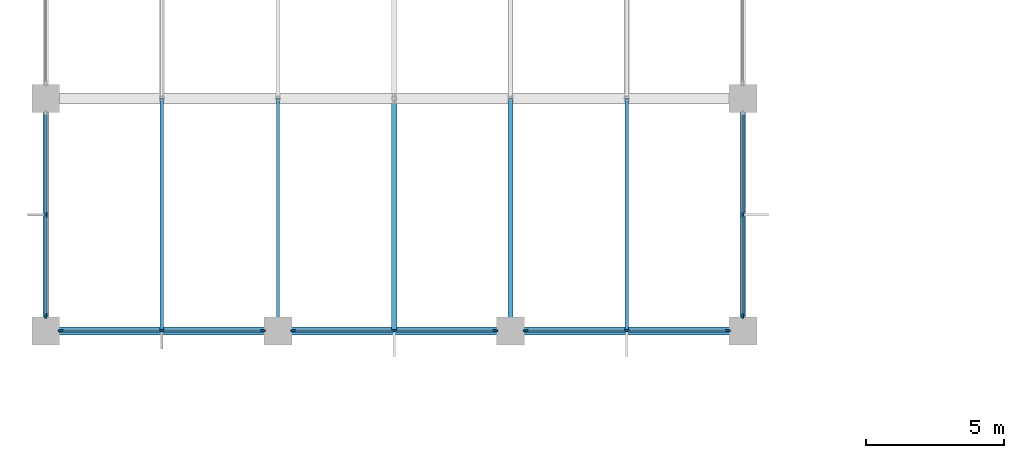
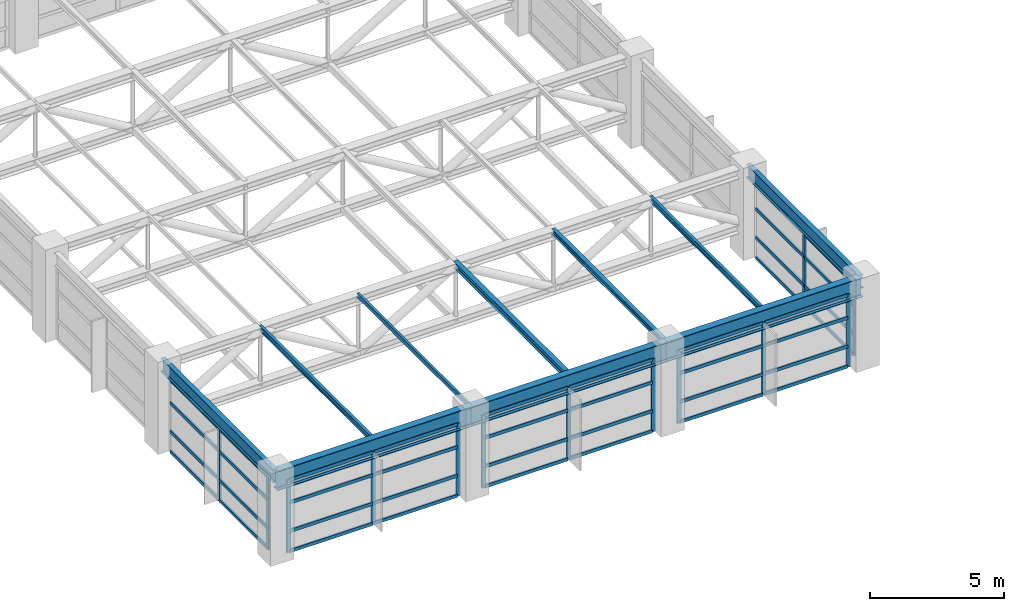
# One storey, part 5 of 32: 57 members, 5 beams, 5 elements without a shape of their own.
"""IFC4 building model written with IfcOpenShell, lengths in metres."""

from ifc_helpers import new_model, si_unit, direction, frame, origin, origin_2d, place, context, subcontext, project, spatial, rectangle, hollow_rectangle, i_section, extrude, material, material_profile, profile_set, type_object, element, aggregate, save


model = new_model("IFC4")

# Units and contexts
model_context = context("Model", 3, precision=1e-05, world=origin(), true_north=direction((0.0, 1.0)))
body_context = subcontext(model_context, "Body", "Model", "MODEL_VIEW")
ifc_project = project(units=[si_unit("LENGTHUNIT", "METRE"), si_unit("AREAUNIT", "SQUARE_METRE"), si_unit("VOLUMEUNIT", "CUBIC_METRE"), si_unit("PLANEANGLEUNIT", "RADIAN"), si_unit("MASSUNIT", "GRAM", prefix="KILO")], contexts=[model_context])

# Site, building, storey
site_placement = place(None, origin())
site = spatial("IfcSite", under=ifc_project, at=site_placement, CompositionType="ELEMENT")
building_placement = place(site_placement, origin())
building = spatial("IfcBuilding", under=site, at=building_placement, Name="Xuanlan Plaza Opera House", CompositionType="ELEMENT")
storey_placement = place(building_placement, frame((0.0, 0.0, 40.5)))
storey = spatial("IfcBuildingStorey", under=building, at=storey_placement, Name="L09", CompositionType="ELEMENT", Elevation=40.5)

# Curtain wall, members
ifc_material_1 = material(Name="Anodised Aluminium 6063-T6 and Low-E Glass", Category="aluminium")
curtain_wall_type = type_object("IfcCurtainWallType", Name="ENV-CW-CW-05", PredefinedType="USERDEFINED", material=ifc_material_1)
curtain_wall_1_placement = place(storey_placement, origin())
curtain_wall_1 = element("IfcCurtainWall", 1, at=curtain_wall_1_placement, inside=storey, type_object=curtain_wall_type, Name="Acoustic Glazed Wall FLY-L09-01", ObjectType="ACOUSTIC GLAZED WALL", PredefinedType="USERDEFINED")
ifc_material_2 = material(Name="Anodised Aluminium 6063-T6", Category="aluminium")
ifc_material_profile_1 = material_profile(ifc_material_2, rectangle(XDim=0.070068359375, YDim=0.179931640625, at=origin_2d()), Name="ALU-M 70x180")
ifc_profile_set_1 = profile_set([ifc_material_profile_1], Name="Anodised Aluminium 6063-T6")
member_type_1 = type_object("IfcMemberType", Name="ENV-CWM-02", PredefinedType="MULLION", material=ifc_profile_set_1)
member_1_placement = place(storey_placement, frame((42.554931640625, 42.0, 0.0), z_axis=(0.0, 0.0, 1.0), x_axis=(0.0, 1.0, 0.0)))
member_1 = element("IfcMember", 2, at=member_1_placement, type_object=member_type_1, Name="CW-05 mullion 1", PredefinedType="MULLION", context=body_context, shape_type="SweptSolid", body=[
    extrude(rectangle(XDim=0.070068359375, YDim=0.179931640625, at=origin_2d()), origin(), (0.0, 0.0, 1.0), 3.320068359375),
])
member_2_placement = place(storey_placement, frame((46.199951171875, 42.0, 0.0), z_axis=(0.0, 0.0, 1.0), x_axis=(0.0, 1.0, 0.0)))
member_2 = element("IfcMember", 3, at=member_2_placement, type_object=member_type_1, Name="CW-05 mullion 2", PredefinedType="MULLION", context=body_context, shape_type="SweptSolid", body=[
    extrude(rectangle(XDim=0.070068359375, YDim=0.179931640625, at=origin_2d()), origin(), (0.0, 0.0, 1.0), 3.320068359375),
])
member_3_placement = place(storey_placement, frame((49.844970703125, 42.0, 0.0), z_axis=(0.0, 0.0, 1.0), x_axis=(0.0, 1.0, 0.0)))
member_3 = element("IfcMember", 4, at=member_3_placement, type_object=member_type_1, Name="CW-05 mullion 3", PredefinedType="MULLION", context=body_context, shape_type="SweptSolid", body=[
    extrude(rectangle(XDim=0.070068359375, YDim=0.179931640625, at=origin_2d()), origin(), (0.0, 0.0, 1.0), 3.320068359375),
])

curtain_wall_2_placement = place(storey_placement, origin())
curtain_wall_2 = element("IfcCurtainWall", 5, at=curtain_wall_2_placement, inside=storey, type_object=curtain_wall_type, Name="Acoustic Glazed Wall FLY-L09-02", ObjectType="ACOUSTIC GLAZED WALL", PredefinedType="USERDEFINED")
member_4_placement = place(storey_placement, frame((50.955078125, 42.0, 0.0), z_axis=(0.0, 0.0, 1.0), x_axis=(0.0, 1.0, 0.0)))
member_4 = element("IfcMember", 6, at=member_4_placement, type_object=member_type_1, Name="CW-05 mullion 1", PredefinedType="MULLION", context=body_context, shape_type="SweptSolid", body=[
    extrude(rectangle(XDim=0.070068359375, YDim=0.179931640625, at=origin_2d()), origin(), (0.0, 0.0, 1.0), 3.320068359375),
])
member_5_placement = place(storey_placement, frame((54.60009765625, 42.0, 0.0), z_axis=(0.0, 0.0, 1.0), x_axis=(0.0, 1.0, 0.0)))
member_5 = element("IfcMember", 7, at=member_5_placement, type_object=member_type_1, Name="CW-05 mullion 2", PredefinedType="MULLION", context=body_context, shape_type="SweptSolid", body=[
    extrude(rectangle(XDim=0.070068359375, YDim=0.179931640625, at=origin_2d()), origin(), (0.0, 0.0, 1.0), 3.320068359375),
])
member_6_placement = place(storey_placement, frame((58.2451171875, 42.0, 0.0), z_axis=(0.0, 0.0, 1.0), x_axis=(0.0, 1.0, 0.0)))
member_6 = element("IfcMember", 8, at=member_6_placement, type_object=member_type_1, Name="CW-05 mullion 3", PredefinedType="MULLION", context=body_context, shape_type="SweptSolid", body=[
    extrude(rectangle(XDim=0.070068359375, YDim=0.179931640625, at=origin_2d()), origin(), (0.0, 0.0, 1.0), 3.320068359375),
])

curtain_wall_3_placement = place(storey_placement, origin())
curtain_wall_3 = element("IfcCurtainWall", 9, at=curtain_wall_3_placement, inside=storey, type_object=curtain_wall_type, Name="Acoustic Glazed Wall FLY-L09-03", ObjectType="ACOUSTIC GLAZED WALL", PredefinedType="USERDEFINED")
member_7_placement = place(storey_placement, frame((59.35498046875, 42.0, 0.0), z_axis=(0.0, 0.0, 1.0), x_axis=(0.0, 1.0, 0.0)))
member_7 = element("IfcMember", 10, at=member_7_placement, type_object=member_type_1, Name="CW-05 mullion 1", PredefinedType="MULLION", context=body_context, shape_type="SweptSolid", body=[
    extrude(rectangle(XDim=0.070068359375, YDim=0.179931640625, at=origin_2d()), origin(), (0.0, 0.0, 1.0), 3.320068359375),
])
member_8_placement = place(storey_placement, frame((63.0, 42.0, 0.0), z_axis=(0.0, 0.0, 1.0), x_axis=(0.0, 1.0, 0.0)))
member_8 = element("IfcMember", 11, at=member_8_placement, type_object=member_type_1, Name="CW-05 mullion 2", PredefinedType="MULLION", context=body_context, shape_type="SweptSolid", body=[
    extrude(rectangle(XDim=0.070068359375, YDim=0.179931640625, at=origin_2d()), origin(), (0.0, 0.0, 1.0), 3.320068359375),
])
member_9_placement = place(storey_placement, frame((66.64501953125, 42.0, 0.0), z_axis=(0.0, 0.0, 1.0), x_axis=(0.0, 1.0, 0.0)))
member_9 = element("IfcMember", 12, at=member_9_placement, type_object=member_type_1, Name="CW-05 mullion 3", PredefinedType="MULLION", context=body_context, shape_type="SweptSolid", body=[
    extrude(rectangle(XDim=0.070068359375, YDim=0.179931640625, at=origin_2d()), origin(), (0.0, 0.0, 1.0), 3.320068359375),
])

curtain_wall_4_placement = place(storey_placement, origin())
curtain_wall_4 = element("IfcCurtainWall", 13, at=curtain_wall_4_placement, inside=storey, type_object=curtain_wall_type, Name="Acoustic Glazed Wall FLY-L09-04", ObjectType="ACOUSTIC GLAZED WALL", PredefinedType="USERDEFINED")
member_10_placement = place(storey_placement, frame((67.199951171875, 42.554931640625, 0.0), z_axis=(0.0, 0.0, 1.0), x_axis=(-1.0, 0.0, 0.0)))
member_10 = element("IfcMember", 14, at=member_10_placement, type_object=member_type_1, Name="CW-05 mullion 1", PredefinedType="MULLION", context=body_context, shape_type="SweptSolid", body=[
    extrude(rectangle(XDim=0.070068359375, YDim=0.179931640625, at=origin_2d()), origin(), (0.0, 0.0, 1.0), 3.320068359375),
])
member_11_placement = place(storey_placement, frame((67.199951171875, 46.199951171875, 0.0), z_axis=(0.0, 0.0, 1.0), x_axis=(-1.0, 0.0, 0.0)))
member_11 = element("IfcMember", 15, at=member_11_placement, type_object=member_type_1, Name="CW-05 mullion 2", PredefinedType="MULLION", context=body_context, shape_type="SweptSolid", body=[
    extrude(rectangle(XDim=0.070068359375, YDim=0.179931640625, at=origin_2d()), origin(), (0.0, 0.0, 1.0), 3.320068359375),
])

curtain_wall_5_placement = place(storey_placement, origin())
curtain_wall_5 = element("IfcCurtainWall", 16, at=curtain_wall_5_placement, inside=storey, type_object=curtain_wall_type, Name="Acoustic Glazed Wall FLY-L09-14", ObjectType="ACOUSTIC GLAZED WALL", PredefinedType="USERDEFINED")
member_12_placement = place(storey_placement, frame((42.0, 46.199951171875, 0.0), z_axis=(0.0, 0.0, 1.0), x_axis=(1.0, 0.0, 0.0)))
member_12 = element("IfcMember", 17, at=member_12_placement, type_object=member_type_1, Name="CW-05 mullion 2", PredefinedType="MULLION", context=body_context, shape_type="SweptSolid", body=[
    extrude(rectangle(XDim=0.070068359375, YDim=0.179931640625, at=origin_2d()), origin(), (0.0, 0.0, 1.0), 3.320068359375),
])
member_13_placement = place(storey_placement, frame((42.0, 42.554931640625, 0.0), z_axis=(0.0, 0.0, 1.0), x_axis=(1.0, 0.0, 0.0)))
member_13 = element("IfcMember", 18, at=member_13_placement, type_object=member_type_1, Name="CW-05 mullion 3", PredefinedType="MULLION", context=body_context, shape_type="SweptSolid", body=[
    extrude(rectangle(XDim=0.070068359375, YDim=0.179931640625, at=origin_2d()), origin(), (0.0, 0.0, 1.0), 3.320068359375),
])

# Member
ifc_material_profile_2 = material_profile(ifc_material_2, rectangle(XDim=0.074951171875, YDim=0.14990234375, at=origin_2d()), Name="ALU-T 75x150")
ifc_profile_set_2 = profile_set([ifc_material_profile_2], Name="Anodised Aluminium 6063-T6")
member_type_2 = type_object("IfcMemberType", Name="ENV-CWT-03", PredefinedType="USERDEFINED", material=ifc_profile_set_2)
member_14_placement = place(storey_placement, frame((42.590087890625, 42.0, 0.03759765625), z_axis=(1.0, 0.0, 0.0), x_axis=(0.0, 1.0, 0.0)))
member_14 = element("IfcMember", 19, at=member_14_placement, type_object=member_type_2, Name="CW-05 transom 1.1", ObjectType="TRANSOM", PredefinedType="USERDEFINED", context=body_context, shape_type="SweptSolid", body=[
    extrude(rectangle(XDim=0.074951171875, YDim=0.14990234375, at=origin_2d()), origin(), (0.0, 0.0, 1.0), 3.574951171875),
])

member_15_placement = place(storey_placement, frame((42.590087890625, 42.0, 0.949951171875), z_axis=(1.0, 0.0, 0.0), x_axis=(0.0, 1.0, 0.0)))
member_15 = element("IfcMember", 20, at=member_15_placement, type_object=member_type_2, Name="CW-05 transom 1.2", ObjectType="TRANSOM", PredefinedType="USERDEFINED", context=body_context, shape_type="SweptSolid", body=[
    extrude(rectangle(XDim=0.074951171875, YDim=0.14990234375, at=origin_2d()), origin(), (0.0, 0.0, 1.0), 3.574951171875),
])

member_16_placement = place(storey_placement, frame((42.590087890625, 42.0, 2.25), z_axis=(1.0, 0.0, 0.0), x_axis=(0.0, 1.0, 0.0)))
member_16 = element("IfcMember", 21, at=member_16_placement, type_object=member_type_2, Name="CW-05 transom 1.3", ObjectType="TRANSOM", PredefinedType="USERDEFINED", context=body_context, shape_type="SweptSolid", body=[
    extrude(rectangle(XDim=0.074951171875, YDim=0.14990234375, at=origin_2d()), origin(), (0.0, 0.0, 1.0), 3.574951171875),
])

member_17_placement = place(storey_placement, frame((42.590087890625, 42.0, 3.282470703125), z_axis=(1.0, 0.0, 0.0), x_axis=(0.0, 1.0, 0.0)))
member_17 = element("IfcMember", 22, at=member_17_placement, type_object=member_type_2, Name="CW-05 transom 1.4", ObjectType="TRANSOM", PredefinedType="USERDEFINED", context=body_context, shape_type="SweptSolid", body=[
    extrude(rectangle(XDim=0.074951171875, YDim=0.14990234375, at=origin_2d()), origin(), (0.0, 0.0, 1.0), 3.574951171875),
])

member_18_placement = place(storey_placement, frame((46.235107421875, 42.0, 0.03759765625), z_axis=(1.0, 0.0, 0.0), x_axis=(0.0, 1.0, 0.0)))
member_18 = element("IfcMember", 23, at=member_18_placement, type_object=member_type_2, Name="CW-05 transom 2.1", ObjectType="TRANSOM", PredefinedType="USERDEFINED", context=body_context, shape_type="SweptSolid", body=[
    extrude(rectangle(XDim=0.074951171875, YDim=0.14990234375, at=origin_2d()), origin(), (0.0, 0.0, 1.0), 3.574951171875),
])

member_19_placement = place(storey_placement, frame((46.235107421875, 42.0, 0.949951171875), z_axis=(1.0, 0.0, 0.0), x_axis=(0.0, 1.0, 0.0)))
member_19 = element("IfcMember", 24, at=member_19_placement, type_object=member_type_2, Name="CW-05 transom 2.2", ObjectType="TRANSOM", PredefinedType="USERDEFINED", context=body_context, shape_type="SweptSolid", body=[
    extrude(rectangle(XDim=0.074951171875, YDim=0.14990234375, at=origin_2d()), origin(), (0.0, 0.0, 1.0), 3.574951171875),
])

member_20_placement = place(storey_placement, frame((46.235107421875, 42.0, 2.25), z_axis=(1.0, 0.0, 0.0), x_axis=(0.0, 1.0, 0.0)))
member_20 = element("IfcMember", 25, at=member_20_placement, type_object=member_type_2, Name="CW-05 transom 2.3", ObjectType="TRANSOM", PredefinedType="USERDEFINED", context=body_context, shape_type="SweptSolid", body=[
    extrude(rectangle(XDim=0.074951171875, YDim=0.14990234375, at=origin_2d()), origin(), (0.0, 0.0, 1.0), 3.574951171875),
])

member_21_placement = place(storey_placement, frame((46.235107421875, 42.0, 3.282470703125), z_axis=(1.0, 0.0, 0.0), x_axis=(0.0, 1.0, 0.0)))
member_21 = element("IfcMember", 26, at=member_21_placement, type_object=member_type_2, Name="CW-05 transom 2.4", ObjectType="TRANSOM", PredefinedType="USERDEFINED", context=body_context, shape_type="SweptSolid", body=[
    extrude(rectangle(XDim=0.074951171875, YDim=0.14990234375, at=origin_2d()), origin(), (0.0, 0.0, 1.0), 3.574951171875),
])

aggregate(curtain_wall_1, [member_1, member_2, member_3, member_14, member_15, member_16, member_17, member_18, member_19, member_20, member_21])

member_22_placement = place(storey_placement, frame((50.989990234375, 42.0, 0.03759765625), z_axis=(1.0, 0.0, 0.0), x_axis=(0.0, 1.0, 0.0)))
member_22 = element("IfcMember", 27, at=member_22_placement, type_object=member_type_2, Name="CW-05 transom 1.1", ObjectType="TRANSOM", PredefinedType="USERDEFINED", context=body_context, shape_type="SweptSolid", body=[
    extrude(rectangle(XDim=0.074951171875, YDim=0.14990234375, at=origin_2d()), origin(), (0.0, 0.0, 1.0), 3.574951171875),
])

member_23_placement = place(storey_placement, frame((50.989990234375, 42.0, 0.949951171875), z_axis=(1.0, 0.0, 0.0), x_axis=(0.0, 1.0, 0.0)))
member_23 = element("IfcMember", 28, at=member_23_placement, type_object=member_type_2, Name="CW-05 transom 1.2", ObjectType="TRANSOM", PredefinedType="USERDEFINED", context=body_context, shape_type="SweptSolid", body=[
    extrude(rectangle(XDim=0.074951171875, YDim=0.14990234375, at=origin_2d()), origin(), (0.0, 0.0, 1.0), 3.574951171875),
])

member_24_placement = place(storey_placement, frame((50.989990234375, 42.0, 2.25), z_axis=(1.0, 0.0, 0.0), x_axis=(0.0, 1.0, 0.0)))
member_24 = element("IfcMember", 29, at=member_24_placement, type_object=member_type_2, Name="CW-05 transom 1.3", ObjectType="TRANSOM", PredefinedType="USERDEFINED", context=body_context, shape_type="SweptSolid", body=[
    extrude(rectangle(XDim=0.074951171875, YDim=0.14990234375, at=origin_2d()), origin(), (0.0, 0.0, 1.0), 3.574951171875),
])

member_25_placement = place(storey_placement, frame((50.989990234375, 42.0, 3.282470703125), z_axis=(1.0, 0.0, 0.0), x_axis=(0.0, 1.0, 0.0)))
member_25 = element("IfcMember", 30, at=member_25_placement, type_object=member_type_2, Name="CW-05 transom 1.4", ObjectType="TRANSOM", PredefinedType="USERDEFINED", context=body_context, shape_type="SweptSolid", body=[
    extrude(rectangle(XDim=0.074951171875, YDim=0.14990234375, at=origin_2d()), origin(), (0.0, 0.0, 1.0), 3.574951171875),
])

member_26_placement = place(storey_placement, frame((54.635009765625, 42.0, 0.03759765625), z_axis=(1.0, 0.0, 0.0), x_axis=(0.0, 1.0, 0.0)))
member_26 = element("IfcMember", 31, at=member_26_placement, type_object=member_type_2, Name="CW-05 transom 2.1", ObjectType="TRANSOM", PredefinedType="USERDEFINED", context=body_context, shape_type="SweptSolid", body=[
    extrude(rectangle(XDim=0.074951171875, YDim=0.14990234375, at=origin_2d()), origin(), (0.0, 0.0, 1.0), 3.574951171875),
])

member_27_placement = place(storey_placement, frame((54.635009765625, 42.0, 0.949951171875), z_axis=(1.0, 0.0, 0.0), x_axis=(0.0, 1.0, 0.0)))
member_27 = element("IfcMember", 32, at=member_27_placement, type_object=member_type_2, Name="CW-05 transom 2.2", ObjectType="TRANSOM", PredefinedType="USERDEFINED", context=body_context, shape_type="SweptSolid", body=[
    extrude(rectangle(XDim=0.074951171875, YDim=0.14990234375, at=origin_2d()), origin(), (0.0, 0.0, 1.0), 3.574951171875),
])

member_28_placement = place(storey_placement, frame((54.635009765625, 42.0, 2.25), z_axis=(1.0, 0.0, 0.0), x_axis=(0.0, 1.0, 0.0)))
member_28 = element("IfcMember", 33, at=member_28_placement, type_object=member_type_2, Name="CW-05 transom 2.3", ObjectType="TRANSOM", PredefinedType="USERDEFINED", context=body_context, shape_type="SweptSolid", body=[
    extrude(rectangle(XDim=0.074951171875, YDim=0.14990234375, at=origin_2d()), origin(), (0.0, 0.0, 1.0), 3.574951171875),
])

member_29_placement = place(storey_placement, frame((54.635009765625, 42.0, 3.282470703125), z_axis=(1.0, 0.0, 0.0), x_axis=(0.0, 1.0, 0.0)))
member_29 = element("IfcMember", 34, at=member_29_placement, type_object=member_type_2, Name="CW-05 transom 2.4", ObjectType="TRANSOM", PredefinedType="USERDEFINED", context=body_context, shape_type="SweptSolid", body=[
    extrude(rectangle(XDim=0.074951171875, YDim=0.14990234375, at=origin_2d()), origin(), (0.0, 0.0, 1.0), 3.574951171875),
])

aggregate(curtain_wall_2, [member_4, member_5, member_6, member_22, member_23, member_24, member_25, member_26, member_27, member_28, member_29])

member_30_placement = place(storey_placement, frame((59.389892578125, 42.0, 0.03759765625), z_axis=(1.0, 0.0, 0.0), x_axis=(0.0, 1.0, 0.0)))
member_30 = element("IfcMember", 35, at=member_30_placement, type_object=member_type_2, Name="CW-05 transom 1.1", ObjectType="TRANSOM", PredefinedType="USERDEFINED", context=body_context, shape_type="SweptSolid", body=[
    extrude(rectangle(XDim=0.074951171875, YDim=0.14990234375, at=origin_2d()), origin(), (0.0, 0.0, 1.0), 3.5751953125),
])

member_31_placement = place(storey_placement, frame((59.389892578125, 42.0, 0.949951171875), z_axis=(1.0, 0.0, 0.0), x_axis=(0.0, 1.0, 0.0)))
member_31 = element("IfcMember", 36, at=member_31_placement, type_object=member_type_2, Name="CW-05 transom 1.2", ObjectType="TRANSOM", PredefinedType="USERDEFINED", context=body_context, shape_type="SweptSolid", body=[
    extrude(rectangle(XDim=0.074951171875, YDim=0.14990234375, at=origin_2d()), origin(), (0.0, 0.0, 1.0), 3.5751953125),
])

member_32_placement = place(storey_placement, frame((59.389892578125, 42.0, 2.25), z_axis=(1.0, 0.0, 0.0), x_axis=(0.0, 1.0, 0.0)))
member_32 = element("IfcMember", 37, at=member_32_placement, type_object=member_type_2, Name="CW-05 transom 1.3", ObjectType="TRANSOM", PredefinedType="USERDEFINED", context=body_context, shape_type="SweptSolid", body=[
    extrude(rectangle(XDim=0.074951171875, YDim=0.14990234375, at=origin_2d()), origin(), (0.0, 0.0, 1.0), 3.5751953125),
])

member_33_placement = place(storey_placement, frame((59.389892578125, 42.0, 3.282470703125), z_axis=(1.0, 0.0, 0.0), x_axis=(0.0, 1.0, 0.0)))
member_33 = element("IfcMember", 38, at=member_33_placement, type_object=member_type_2, Name="CW-05 transom 1.4", ObjectType="TRANSOM", PredefinedType="USERDEFINED", context=body_context, shape_type="SweptSolid", body=[
    extrude(rectangle(XDim=0.074951171875, YDim=0.14990234375, at=origin_2d()), origin(), (0.0, 0.0, 1.0), 3.5751953125),
])

member_34_placement = place(storey_placement, frame((63.034912109375, 42.0, 0.03759765625), z_axis=(1.0, 0.0, 0.0), x_axis=(0.0, 1.0, 0.0)))
member_34 = element("IfcMember", 39, at=member_34_placement, type_object=member_type_2, Name="CW-05 transom 2.1", ObjectType="TRANSOM", PredefinedType="USERDEFINED", context=body_context, shape_type="SweptSolid", body=[
    extrude(rectangle(XDim=0.074951171875, YDim=0.14990234375, at=origin_2d()), origin(), (0.0, 0.0, 1.0), 3.5751953125),
])

member_35_placement = place(storey_placement, frame((63.034912109375, 42.0, 0.949951171875), z_axis=(1.0, 0.0, 0.0), x_axis=(0.0, 1.0, 0.0)))
member_35 = element("IfcMember", 40, at=member_35_placement, type_object=member_type_2, Name="CW-05 transom 2.2", ObjectType="TRANSOM", PredefinedType="USERDEFINED", context=body_context, shape_type="SweptSolid", body=[
    extrude(rectangle(XDim=0.074951171875, YDim=0.14990234375, at=origin_2d()), origin(), (0.0, 0.0, 1.0), 3.5751953125),
])

member_36_placement = place(storey_placement, frame((63.034912109375, 42.0, 2.25), z_axis=(1.0, 0.0, 0.0), x_axis=(0.0, 1.0, 0.0)))
member_36 = element("IfcMember", 41, at=member_36_placement, type_object=member_type_2, Name="CW-05 transom 2.3", ObjectType="TRANSOM", PredefinedType="USERDEFINED", context=body_context, shape_type="SweptSolid", body=[
    extrude(rectangle(XDim=0.074951171875, YDim=0.14990234375, at=origin_2d()), origin(), (0.0, 0.0, 1.0), 3.5751953125),
])

member_37_placement = place(storey_placement, frame((63.034912109375, 42.0, 3.282470703125), z_axis=(1.0, 0.0, 0.0), x_axis=(0.0, 1.0, 0.0)))
member_37 = element("IfcMember", 42, at=member_37_placement, type_object=member_type_2, Name="CW-05 transom 2.4", ObjectType="TRANSOM", PredefinedType="USERDEFINED", context=body_context, shape_type="SweptSolid", body=[
    extrude(rectangle(XDim=0.074951171875, YDim=0.14990234375, at=origin_2d()), origin(), (0.0, 0.0, 1.0), 3.5751953125),
])

aggregate(curtain_wall_3, [member_7, member_8, member_9, member_30, member_31, member_32, member_33, member_34, member_35, member_36, member_37])

member_38_placement = place(storey_placement, frame((67.199951171875, 42.590087890625, 0.03759765625), z_axis=(0.0, 1.0, 0.0), x_axis=(-1.0, 0.0, 0.0)))
member_38 = element("IfcMember", 43, at=member_38_placement, type_object=member_type_2, Name="CW-05 transom 1.1", ObjectType="TRANSOM", PredefinedType="USERDEFINED", context=body_context, shape_type="SweptSolid", body=[
    extrude(rectangle(XDim=0.074951171875, YDim=0.14990234375, at=origin_2d()), origin(), (0.0, 0.0, 1.0), 3.574951171875),
])

member_39_placement = place(storey_placement, frame((67.199951171875, 42.590087890625, 0.949951171875), z_axis=(0.0, 1.0, 0.0), x_axis=(-1.0, 0.0, 0.0)))
member_39 = element("IfcMember", 44, at=member_39_placement, type_object=member_type_2, Name="CW-05 transom 1.2", ObjectType="TRANSOM", PredefinedType="USERDEFINED", context=body_context, shape_type="SweptSolid", body=[
    extrude(rectangle(XDim=0.074951171875, YDim=0.14990234375, at=origin_2d()), origin(), (0.0, 0.0, 1.0), 3.574951171875),
])

member_40_placement = place(storey_placement, frame((67.199951171875, 42.590087890625, 2.25), z_axis=(0.0, 1.0, 0.0), x_axis=(-1.0, 0.0, 0.0)))
member_40 = element("IfcMember", 45, at=member_40_placement, type_object=member_type_2, Name="CW-05 transom 1.3", ObjectType="TRANSOM", PredefinedType="USERDEFINED", context=body_context, shape_type="SweptSolid", body=[
    extrude(rectangle(XDim=0.074951171875, YDim=0.14990234375, at=origin_2d()), origin(), (0.0, 0.0, 1.0), 3.574951171875),
])

member_41_placement = place(storey_placement, frame((67.199951171875, 42.590087890625, 3.282470703125), z_axis=(0.0, 1.0, 0.0), x_axis=(-1.0, 0.0, 0.0)))
member_41 = element("IfcMember", 46, at=member_41_placement, type_object=member_type_2, Name="CW-05 transom 1.4", ObjectType="TRANSOM", PredefinedType="USERDEFINED", context=body_context, shape_type="SweptSolid", body=[
    extrude(rectangle(XDim=0.074951171875, YDim=0.14990234375, at=origin_2d()), origin(), (0.0, 0.0, 1.0), 3.574951171875),
])

member_42_placement = place(storey_placement, frame((67.199951171875, 46.235107421875, 0.03759765625), z_axis=(0.0, 1.0, 0.0), x_axis=(-1.0, 0.0, 0.0)))
member_42 = element("IfcMember", 47, at=member_42_placement, type_object=member_type_2, Name="CW-05 transom 2.1", ObjectType="TRANSOM", PredefinedType="USERDEFINED", context=body_context, shape_type="SweptSolid", body=[
    extrude(rectangle(XDim=0.074951171875, YDim=0.14990234375, at=origin_2d()), origin(), (0.0, 0.0, 1.0), 3.574951171875),
])

member_43_placement = place(storey_placement, frame((67.199951171875, 46.235107421875, 0.949951171875), z_axis=(0.0, 1.0, 0.0), x_axis=(-1.0, 0.0, 0.0)))
member_43 = element("IfcMember", 48, at=member_43_placement, type_object=member_type_2, Name="CW-05 transom 2.2", ObjectType="TRANSOM", PredefinedType="USERDEFINED", context=body_context, shape_type="SweptSolid", body=[
    extrude(rectangle(XDim=0.074951171875, YDim=0.14990234375, at=origin_2d()), origin(), (0.0, 0.0, 1.0), 3.574951171875),
])

member_44_placement = place(storey_placement, frame((67.199951171875, 46.235107421875, 2.25), z_axis=(0.0, 1.0, 0.0), x_axis=(-1.0, 0.0, 0.0)))
member_44 = element("IfcMember", 49, at=member_44_placement, type_object=member_type_2, Name="CW-05 transom 2.3", ObjectType="TRANSOM", PredefinedType="USERDEFINED", context=body_context, shape_type="SweptSolid", body=[
    extrude(rectangle(XDim=0.074951171875, YDim=0.14990234375, at=origin_2d()), origin(), (0.0, 0.0, 1.0), 3.574951171875),
])

aggregate(curtain_wall_4, [member_10, member_11, member_38, member_39, member_40, member_41, member_42, member_43, member_44])

member_45_placement = place(storey_placement, frame((42.0, 49.81005859375, 0.03759765625), z_axis=(0.0, -1.0, 0.0), x_axis=(1.0, 0.0, 0.0)))
member_45 = element("IfcMember", 50, at=member_45_placement, type_object=member_type_2, Name="CW-05 transom 1.1", ObjectType="TRANSOM", PredefinedType="USERDEFINED", context=body_context, shape_type="SweptSolid", body=[
    extrude(rectangle(XDim=0.074951171875, YDim=0.14990234375, at=origin_2d()), origin(), (0.0, 0.0, 1.0), 3.574951171875),
])

member_46_placement = place(storey_placement, frame((42.0, 49.81005859375, 0.949951171875), z_axis=(0.0, -1.0, 0.0), x_axis=(1.0, 0.0, 0.0)))
member_46 = element("IfcMember", 51, at=member_46_placement, type_object=member_type_2, Name="CW-05 transom 1.2", ObjectType="TRANSOM", PredefinedType="USERDEFINED", context=body_context, shape_type="SweptSolid", body=[
    extrude(rectangle(XDim=0.074951171875, YDim=0.14990234375, at=origin_2d()), origin(), (0.0, 0.0, 1.0), 3.574951171875),
])

member_47_placement = place(storey_placement, frame((42.0, 49.81005859375, 2.25), z_axis=(0.0, -1.0, 0.0), x_axis=(1.0, 0.0, 0.0)))
member_47 = element("IfcMember", 52, at=member_47_placement, type_object=member_type_2, Name="CW-05 transom 1.3", ObjectType="TRANSOM", PredefinedType="USERDEFINED", context=body_context, shape_type="SweptSolid", body=[
    extrude(rectangle(XDim=0.074951171875, YDim=0.14990234375, at=origin_2d()), origin(), (0.0, 0.0, 1.0), 3.574951171875),
])

member_48_placement = place(storey_placement, frame((42.0, 49.81005859375, 3.282470703125), z_axis=(0.0, -1.0, 0.0), x_axis=(1.0, 0.0, 0.0)))
member_48 = element("IfcMember", 53, at=member_48_placement, type_object=member_type_2, Name="CW-05 transom 1.4", ObjectType="TRANSOM", PredefinedType="USERDEFINED", context=body_context, shape_type="SweptSolid", body=[
    extrude(rectangle(XDim=0.074951171875, YDim=0.14990234375, at=origin_2d()), origin(), (0.0, 0.0, 1.0), 3.574951171875),
])

member_49_placement = place(storey_placement, frame((42.0, 46.1650390625, 0.03759765625), z_axis=(0.0, -1.0, 0.0), x_axis=(1.0, 0.0, 0.0)))
member_49 = element("IfcMember", 54, at=member_49_placement, type_object=member_type_2, Name="CW-05 transom 2.1", ObjectType="TRANSOM", PredefinedType="USERDEFINED", context=body_context, shape_type="SweptSolid", body=[
    extrude(rectangle(XDim=0.074951171875, YDim=0.14990234375, at=origin_2d()), origin(), (0.0, 0.0, 1.0), 3.574951171875),
])

member_50_placement = place(storey_placement, frame((42.0, 46.1650390625, 0.949951171875), z_axis=(0.0, -1.0, 0.0), x_axis=(1.0, 0.0, 0.0)))
member_50 = element("IfcMember", 55, at=member_50_placement, type_object=member_type_2, Name="CW-05 transom 2.2", ObjectType="TRANSOM", PredefinedType="USERDEFINED", context=body_context, shape_type="SweptSolid", body=[
    extrude(rectangle(XDim=0.074951171875, YDim=0.14990234375, at=origin_2d()), origin(), (0.0, 0.0, 1.0), 3.574951171875),
])

member_51_placement = place(storey_placement, frame((42.0, 46.1650390625, 2.25), z_axis=(0.0, -1.0, 0.0), x_axis=(1.0, 0.0, 0.0)))
member_51 = element("IfcMember", 56, at=member_51_placement, type_object=member_type_2, Name="CW-05 transom 2.3", ObjectType="TRANSOM", PredefinedType="USERDEFINED", context=body_context, shape_type="SweptSolid", body=[
    extrude(rectangle(XDim=0.074951171875, YDim=0.14990234375, at=origin_2d()), origin(), (0.0, 0.0, 1.0), 3.574951171875),
])

member_52_placement = place(storey_placement, frame((42.0, 46.1650390625, 3.282470703125), z_axis=(0.0, -1.0, 0.0), x_axis=(1.0, 0.0, 0.0)))
member_52 = element("IfcMember", 57, at=member_52_placement, type_object=member_type_2, Name="CW-05 transom 2.4", ObjectType="TRANSOM", PredefinedType="USERDEFINED", context=body_context, shape_type="SweptSolid", body=[
    extrude(rectangle(XDim=0.074951171875, YDim=0.14990234375, at=origin_2d()), origin(), (0.0, 0.0, 1.0), 3.574951171875),
])

aggregate(curtain_wall_5, [member_12, member_13, member_45, member_46, member_47, member_48, member_49, member_50, member_51, member_52])

# Beams
ifc_material_3 = material(Name="Steel Q390B", Category="steel")
ifc_material_profile_3 = material_profile(ifc_material_3, i_section(OverallWidth=0.300048828125, OverallDepth=0.89990234375, WebThickness=0.01611328125, FlangeThickness=0.028076171875, FilletRadius=0.028076171875, at=origin_2d()), Name="HN 900x300x16x28")
ifc_profile_set_3 = profile_set([ifc_material_profile_3], Name="Steel Q390B")
beam_type_1 = type_object("IfcBeamType", Name="STR-BM-SB-01", PredefinedType="BEAM", material=ifc_profile_set_3)
beam_1_placement = place(storey_placement, frame((42.0, 42.0, 3.510009765625), z_axis=(1.0, 0.0, 0.0), x_axis=(0.0, 1.0, 0.0)))
element("IfcBeam", 58, at=beam_1_placement, inside=storey, type_object=beam_type_1, Name="Fly Tower Edge Girder L09 6-7/F", PredefinedType="BEAM", context=body_context, shape_type="SweptSolid", body=[
    extrude(i_section(OverallWidth=0.300048828125, OverallDepth=0.89990234375, WebThickness=0.01611328125, FlangeThickness=0.028076171875, FilletRadius=0.028076171875, at=origin_2d()), origin(), (0.0, 0.0, 1.0), 8.39990234375),
])
beam_2_placement = place(storey_placement, frame((50.39990234375, 42.0, 3.510009765625), z_axis=(1.0, 0.0, 0.0), x_axis=(0.0, 1.0, 0.0)))
element("IfcBeam", 59, at=beam_2_placement, inside=storey, type_object=beam_type_1, Name="Fly Tower Edge Girder L09 7-8/F", PredefinedType="BEAM", context=body_context, shape_type="SweptSolid", body=[
    extrude(i_section(OverallWidth=0.300048828125, OverallDepth=0.89990234375, WebThickness=0.01611328125, FlangeThickness=0.028076171875, FilletRadius=0.028076171875, at=origin_2d()), origin(), (0.0, 0.0, 1.0), 8.400146484375),
])
beam_3_placement = place(storey_placement, frame((58.800048828125, 42.0, 3.510009765625), z_axis=(1.0, 0.0, 0.0), x_axis=(0.0, 1.0, 0.0)))
element("IfcBeam", 60, at=beam_3_placement, inside=storey, type_object=beam_type_1, Name="Fly Tower Edge Girder L09 8-9/F", PredefinedType="BEAM", context=body_context, shape_type="SweptSolid", body=[
    extrude(i_section(OverallWidth=0.300048828125, OverallDepth=0.89990234375, WebThickness=0.01611328125, FlangeThickness=0.028076171875, FilletRadius=0.028076171875, at=origin_2d()), origin(), (0.0, 0.0, 1.0), 8.39990234375),
])
ifc_material_4 = material(Name="Steel Q355B", Category="steel")
ifc_material_profile_4 = material_profile(ifc_material_4, i_section(OverallWidth=0.199951171875, OverallDepth=0.60009765625, WebThickness=0.010986328125, FlangeThickness=0.01708984375, FilletRadius=0.02197265625, at=origin_2d()), Name="HN 600x200x11x17")
ifc_profile_set_4 = profile_set([ifc_material_profile_4], Name="Steel Q355B")
beam_type_2 = type_object("IfcBeamType", Name="STR-BM-SB-04", PredefinedType="BEAM", material=ifc_profile_set_4)
for number, where, z_axis, x_axis, name in (
    (61, (42.0, 42.0, 3.659912109375), (0.0, 1.0, 0.0), (-1.0, 0.0, 0.0), "Fly Tower Ring Beam Y L09 6/F-G"),
    (62, (67.199951171875, 42.0, 3.659912109375), (0.0, 1.0, 0.0), (-1.0, 0.0, 0.0), "Fly Tower Ring Beam Y L09 9/F-G"),
):
    element("IfcBeam", number, at=place(storey_placement, frame(where, z_axis=z_axis, x_axis=x_axis)), inside=storey, type_object=beam_type_2, Name=name, PredefinedType="BEAM", context=body_context, shape_type="SweptSolid", body=[
        extrude(i_section(OverallWidth=0.199951171875, OverallDepth=0.60009765625, WebThickness=0.010986328125, FlangeThickness=0.01708984375, FilletRadius=0.02197265625, at=origin_2d()), origin(), (0.0, 0.0, 1.0), 8.39990234375),
    ])

# Members
ifc_material_profile_5 = material_profile(ifc_material_4, i_section(OverallWidth=0.125, OverallDepth=0.25, WebThickness=0.006103515625, FlangeThickness=0.009033203125, FilletRadius=0.011962890625, at=origin_2d()), Name="HN 250x125x6x9")
ifc_profile_set_5 = profile_set([ifc_material_profile_5], Name="Steel Q355B")
member_type_3 = type_object("IfcMemberType", Name="STR-MEM-PR-01", PredefinedType="PURLIN", material=ifc_profile_set_5)
for number, where, z_axis, x_axis, name in (
    (63, (46.199951171875, 42.0, 3.833984375), (0.0, 1.0, 0.0), (-1.0, 0.0, 0.0), "Stage Gridiron Roof Purlin 1-2"),
    (64, (63.0, 42.0, 3.833984375), (0.0, 1.0, 0.0), (-1.0, 0.0, 0.0), "Stage Gridiron Roof Purlin 1-6"),
):
    element("IfcMember", number, at=place(storey_placement, frame(where, z_axis=z_axis, x_axis=x_axis)), inside=storey, type_object=member_type_3, Name=name, PredefinedType="PURLIN", context=body_context, shape_type="SweptSolid", body=[
        extrude(i_section(OverallWidth=0.125, OverallDepth=0.25, WebThickness=0.006103515625, FlangeThickness=0.009033203125, FilletRadius=0.011962890625, at=origin_2d()), origin(), (0.0, 0.0, 1.0), 8.39990234375),
    ])
ifc_material_profile_6 = material_profile(ifc_material_4, hollow_rectangle(XDim=0.10009765625, YDim=0.199951171875, WallThickness=0.008056640625, at=origin_2d()), Name="RHS 200x100x8")
ifc_profile_set_6 = profile_set([ifc_material_profile_6], Name="Steel Q355B")
member_type_4 = type_object("IfcMemberType", Name="STR-MEM-PR-02", PredefinedType="PURLIN", material=ifc_profile_set_6)
member_53_placement = place(storey_placement, frame((50.39990234375, 42.0, 3.85888671875), z_axis=(0.0, 1.0, 0.0), x_axis=(-1.0, 0.0, 0.0)))
element("IfcMember", 65, at=member_53_placement, inside=storey, type_object=member_type_4, Name="Stage Gridiron Roof Purlin 1-3", PredefinedType="PURLIN", context=body_context, shape_type="SweptSolid", body=[
    extrude(hollow_rectangle(XDim=0.10009765625, YDim=0.199951171875, WallThickness=0.008056640625, at=origin_2d()), origin(), (0.0, 0.0, 1.0), 8.39990234375),
])
ifc_material_profile_7 = material_profile(ifc_material_4, i_section(OverallWidth=0.199951171875, OverallDepth=0.2939453125, WebThickness=0.008056640625, FlangeThickness=0.011962890625, FilletRadius=0.01611328125, at=origin_2d()), Name="HM 294x200x8x12")
ifc_profile_set_7 = profile_set([ifc_material_profile_7], Name="Steel Q355B")
member_type_5 = type_object("IfcMemberType", Name="STR-MEM-PR-05", PredefinedType="PURLIN", material=ifc_profile_set_7)
member_54_placement = place(storey_placement, frame((54.60009765625, 42.0, 3.81201171875), z_axis=(0.0, 1.0, 0.0), x_axis=(-1.0, 0.0, 0.0)))
element("IfcMember", 66, at=member_54_placement, inside=storey, type_object=member_type_5, Name="Stage Gridiron Roof Purlin 1-4", PredefinedType="PURLIN", context=body_context, shape_type="SweptSolid", body=[
    extrude(i_section(OverallWidth=0.199951171875, OverallDepth=0.2939453125, WebThickness=0.008056640625, FlangeThickness=0.011962890625, FilletRadius=0.01611328125, at=origin_2d()), origin(), (0.0, 0.0, 1.0), 8.39990234375),
])
ifc_material_profile_8 = material_profile(ifc_material_4, i_section(OverallWidth=0.175048828125, OverallDepth=0.243896484375, WebThickness=0.007080078125, FlangeThickness=0.010986328125, FilletRadius=0.012939453125, at=origin_2d()), Name="HM 244x175x7x11")
ifc_profile_set_8 = profile_set([ifc_material_profile_8], Name="Steel Q355B")
member_type_6 = type_object("IfcMemberType", Name="STR-MEM-PR-06", PredefinedType="PURLIN", material=ifc_profile_set_8)
member_55_placement = place(storey_placement, frame((58.800048828125, 42.0, 3.8369140625), z_axis=(0.0, 1.0, 0.0), x_axis=(-1.0, 0.0, 0.0)))
element("IfcMember", 67, at=member_55_placement, inside=storey, type_object=member_type_6, Name="Stage Gridiron Roof Purlin 1-5", PredefinedType="PURLIN", context=body_context, shape_type="SweptSolid", body=[
    extrude(i_section(OverallWidth=0.175048828125, OverallDepth=0.243896484375, WebThickness=0.007080078125, FlangeThickness=0.010986328125, FilletRadius=0.012939453125, at=origin_2d()), origin(), (0.0, 0.0, 1.0), 8.39990234375),
])

save(model, "model.ifc")
